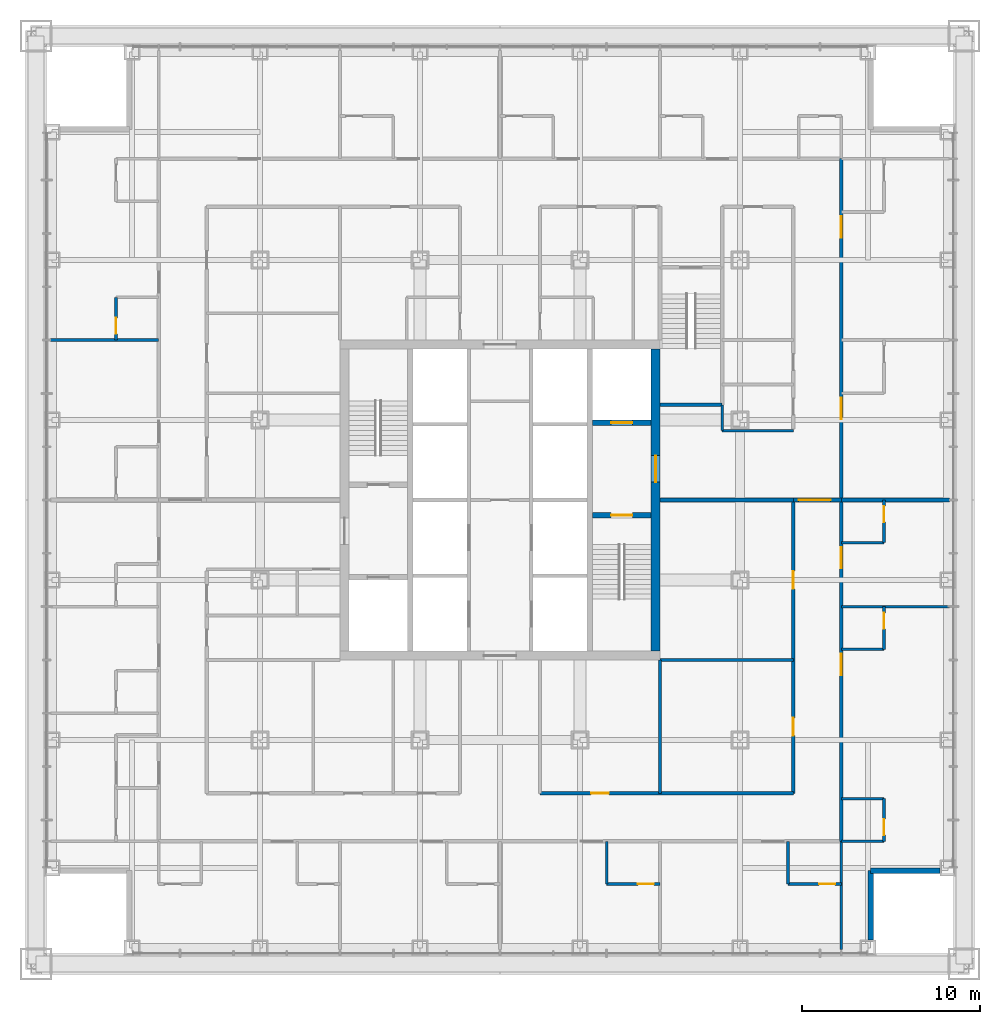
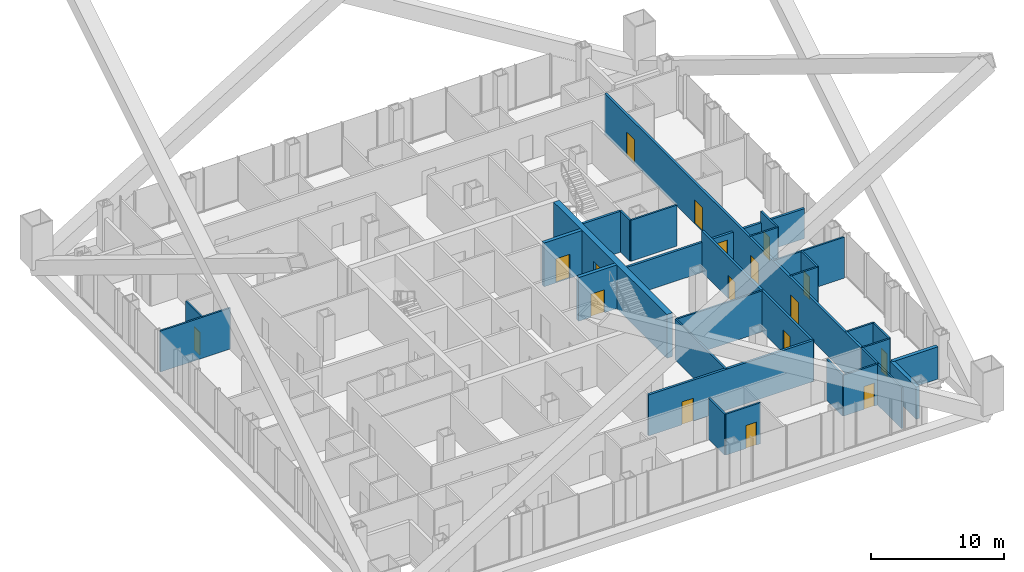
# One storey, part 14 of 21: 31 walls, 17 doors, 17 openings.
"""IFC4 building model written with IfcOpenShell, lengths in metres."""

from ifc_helpers import new_model, si_unit, direction, frame, frame_2d, origin, place, context, subcontext, project, spatial, rectangle, extrude, material, layer, layer_set, type_object, element, fill, save


model = new_model("IFC4")

# Units and contexts
model_context = context("Model", 3, precision=1e-05, world=origin(), true_north=direction((0.0, 1.0)))
body_context = subcontext(model_context, "Body", "Model", "MODEL_VIEW")
ifc_project = project(units=[si_unit("LENGTHUNIT", "METRE"), si_unit("AREAUNIT", "SQUARE_METRE"), si_unit("VOLUMEUNIT", "CUBIC_METRE"), si_unit("PLANEANGLEUNIT", "RADIAN"), si_unit("MASSUNIT", "GRAM", prefix="KILO")], contexts=[model_context])

# Site, building, storey
site_placement = place(None, origin())
site = spatial("IfcSite", under=ifc_project, at=site_placement, CompositionType="ELEMENT")
building_placement = place(site_placement, origin())
building = spatial("IfcBuilding", under=site, at=building_placement, Name="Malebo Sky Hospital", CompositionType="ELEMENT")
storey_placement = place(building_placement, frame((0.0, 0.0, 63.0)))
storey = spatial("IfcBuildingStorey", under=building, at=storey_placement, Name="L14", CompositionType="ELEMENT", Elevation=63.0)

# Wall, opening, door
ifc_material_1 = material(Name="Concrete C80/95", Category="concrete")
ifc_layer_1 = layer(ifc_material_1, 0.300048828125)
ifc_layer_set_1 = layer_set([ifc_layer_1], Name="CORE INNER WALL 300")
wall_type_1 = type_object("IfcWallType", Name="CORE INNER WALL 300", PredefinedType="SHEAR", material=ifc_layer_set_1)
wall_1_placement = place(storey_placement, frame((65.199951171875, 61.14990234375, 0.0), z_axis=(0.0, 0.0, 1.0), x_axis=(1.0, 0.0, 0.0)))
wall_1 = element("IfcWall", 1, at=wall_1_placement, inside=storey, type_object=wall_type_1, Name="Core wall E1 L14", PredefinedType="SHEAR", context=body_context, shape_type="SweptSolid", body=[
    extrude(rectangle(XDim=3.300048828125, YDim=0.300048828125, at=frame_2d((1.64990234375, 0.0))), origin(), (0.0, 0.0, 1.0), 4.0),
])
opening_1_placement = place(wall_1_placement, frame((1.050048828125, 0.0, 0.0)))
opening_1 = element("IfcOpeningElement", 2, at=opening_1_placement, cuts=wall_1, Name="Opening D08", PredefinedType="OPENING", context=body_context, shape_type="SweptSolid", body=[
    extrude(rectangle(XDim=1.199951171875, YDim=2.10009765625, at=frame_2d((0.60009765625, 1.050048828125))), frame((0.0, 0.159912109375, 0.0), z_axis=(0.0, -1.0, 0.0), x_axis=(1.0, 0.0, 0.0)), (0.0, 0.0, 1.0), 0.320068359375),
])
ifc_material_2 = material(Name="Hardwood-faced door leaf in steel frame", Category="steel")
door_type_1 = type_object("IfcDoorType", Name="STAIR DOOR 1200", OperationType="SINGLE_SWING_LEFT", PredefinedType="DOOR", material=ifc_material_2)
door_1_placement = place(opening_1_placement, origin())
door_1 = element("IfcDoor", 3, at=door_1_placement, inside=storey, type_object=door_type_1, Name="Stair S2 door", OperationType="SINGLE_SWING_LEFT", OverallHeight=2.10009765625, OverallWidth=1.199951171875, PredefinedType="DOOR", context=body_context, shape_type="SweptSolid", body=[
    extrude(rectangle(XDim=1.199951171875, YDim=2.10009765625, at=frame_2d((0.60009765625, 1.050048828125))), frame((0.0, 0.02490234375, 0.0), z_axis=(0.0, -1.0, 0.0), x_axis=(1.0, 0.0, 0.0)), (0.0, 0.0, 1.0), 0.050048828125),
])
fill(opening_1, door_1)

wall_2_placement = place(storey_placement, frame((65.199951171875, 66.35009765625, 0.0), z_axis=(0.0, 0.0, 1.0), x_axis=(1.0, 0.0, 0.0)))
wall_2 = element("IfcWall", 4, at=wall_2_placement, inside=storey, type_object=wall_type_1, Name="Core wall E2 L14", PredefinedType="SHEAR", context=body_context, shape_type="SweptSolid", body=[
    extrude(rectangle(XDim=3.300048828125, YDim=0.300048828125, at=frame_2d((1.64990234375, 0.0))), origin(), (0.0, 0.0, 1.0), 4.0),
])
opening_2_placement = place(wall_2_placement, frame((1.050048828125, 0.0, 0.0)))
opening_2 = element("IfcOpeningElement", 5, at=opening_2_placement, cuts=wall_2, Name="Opening LD2", PredefinedType="OPENING", context=body_context, shape_type="SweptSolid", body=[
    extrude(rectangle(XDim=1.199951171875, YDim=2.199951171875, at=frame_2d((0.60009765625, 1.10009765625))), frame((0.0, 0.159912109375, 0.0), z_axis=(0.0, -1.0, 0.0), x_axis=(1.0, 0.0, 0.0)), (0.0, 0.0, 1.0), 0.320068359375),
])
ifc_material_3 = material(Name="Stainless steel sliding landing door", Category="steel")
door_type_2 = type_object("IfcDoorType", Name="FIRE-FIGHTING LIFT LANDING DOOR 1200", OperationType="SLIDING_TO_LEFT", PredefinedType="DOOR", material=ifc_material_3)
door_2_placement = place(opening_2_placement, origin())
door_2 = element("IfcDoor", 6, at=door_2_placement, inside=storey, type_object=door_type_2, Name="Lift FL2 landing door", OperationType="SLIDING_TO_LEFT", OverallHeight=2.199951171875, OverallWidth=1.199951171875, PredefinedType="DOOR", context=body_context, shape_type="SweptSolid", body=[
    extrude(rectangle(XDim=1.199951171875, YDim=2.199951171875, at=frame_2d((0.60009765625, 1.10009765625))), frame((0.0, 0.02490234375, 0.0), z_axis=(0.0, -1.0, 0.0), x_axis=(1.0, 0.0, 0.0)), (0.0, 0.0, 1.0), 0.050048828125),
])
fill(opening_2, door_2)

ifc_layer_2 = layer(ifc_material_1, 0.5)
ifc_layer_set_2 = layer_set([ifc_layer_2], Name="CORE WALL 500")
wall_type_2 = type_object("IfcWallType", Name="CORE WALL 500", PredefinedType="SHEAR", material=ifc_layer_set_2)
wall_3_placement = place(storey_placement, frame((68.75, 53.5, 0.0), z_axis=(0.0, 0.0, 1.0), x_axis=(0.0, 1.0, 0.0)))
wall_3 = element("IfcWall", 7, at=wall_3_placement, inside=storey, type_object=wall_type_2, Name="Core wall E L14", PredefinedType="SHEAR", context=body_context, shape_type="SweptSolid", body=[
    extrude(rectangle(XDim=17.0, YDim=0.5, at=frame_2d((8.5, 0.0))), origin(), (0.0, 0.0, 1.0), 4.0),
])
opening_3_placement = place(wall_3_placement, frame((9.5, 0.0, 0.0)))
opening_3 = element("IfcOpeningElement", 8, at=opening_3_placement, cuts=wall_3, Name="Opening D07", PredefinedType="OPENING", context=body_context, shape_type="SweptSolid", body=[
    extrude(rectangle(XDim=1.5, YDim=2.199951171875, at=frame_2d((0.75, 1.10009765625))), frame((0.0, 0.260009765625, 0.0), z_axis=(0.0, -1.0, 0.0), x_axis=(1.0, 0.0, 0.0)), (0.0, 0.0, 1.0), 0.52001953125),
])
door_type_3 = type_object("IfcDoorType", Name="FIRE-FIGHTING LOBBY DOOR PAIR 1500", OperationType="DOUBLE_DOOR_SINGLE_SWING", PredefinedType="DOOR", material=ifc_material_2)
door_3_placement = place(opening_3_placement, origin())
door_3 = element("IfcDoor", 9, at=door_3_placement, inside=storey, type_object=door_type_3, Name="Fire-fighting lobby door east", OperationType="DOUBLE_DOOR_SINGLE_SWING", OverallHeight=2.199951171875, OverallWidth=1.5, PredefinedType="DOOR", context=body_context, shape_type="SweptSolid", body=[
    extrude(rectangle(XDim=1.5, YDim=2.199951171875, at=frame_2d((0.75, 1.10009765625))), frame((0.0, 0.02490234375, 0.0), z_axis=(0.0, -1.0, 0.0), x_axis=(1.0, 0.0, 0.0)), (0.0, 0.0, 1.0), 0.050048828125),
])
fill(opening_3, door_3)

ifc_material_4 = material(Name="Gypsum board on steel studs", Category="steel")
ifc_layer_3 = layer(ifc_material_4, 0.199951171875)
ifc_layer_set_3 = layer_set([ifc_layer_3], Name="CORRIDOR WALL 200")
wall_type_3 = type_object("IfcWallType", Name="CORRIDOR WALL 200", PredefinedType="PARTITIONING", material=ifc_layer_set_3)
wall_4_placement = place(storey_placement, frame((76.5, 45.5, 0.0), z_axis=(0.0, 0.0, 1.0), x_axis=(-1.0, 0.0, 0.0)))
wall_4 = element("IfcWall", 10, at=wall_4_placement, inside=storey, type_object=wall_type_3, Name="Corridor Wall 200 SCI1", PredefinedType="PARTITIONING", context=body_context, shape_type="SweptSolid", body=[
    extrude(rectangle(XDim=14.25, YDim=0.199951171875, at=frame_2d((7.125, 0.0))), origin(), (0.0, 0.0, 1.0), 3.75),
])
opening_4_placement = place(wall_4_placement, frame((10.375, 0.0, 0.0)))
opening_4 = element("IfcOpeningElement", 11, at=opening_4_placement, cuts=wall_4, Name="Opening D03", PredefinedType="OPENING", context=body_context, shape_type="SweptSolid", body=[
    extrude(rectangle(XDim=1.0, YDim=2.10009765625, at=frame_2d((0.5, 1.050048828125))), frame((0.0, 0.10986328125, 0.0), z_axis=(0.0, -1.0, 0.0), x_axis=(1.0, 0.0, 0.0)), (0.0, 0.0, 1.0), 0.219970703125),
])
door_type_4 = type_object("IfcDoorType", Name="ROOM DOOR 1000", OperationType="SINGLE_SWING_LEFT", PredefinedType="DOOR", material=ifc_material_2)
door_4_placement = place(opening_4_placement, origin())
door_4 = element("IfcDoor", 12, at=door_4_placement, inside=storey, type_object=door_type_4, Name="Treatment room door", OperationType="SINGLE_SWING_LEFT", OverallHeight=2.10009765625, OverallWidth=1.0, PredefinedType="DOOR", context=body_context, shape_type="SweptSolid", body=[
    extrude(rectangle(XDim=1.0, YDim=2.10009765625, at=frame_2d((0.5, 1.050048828125))), frame((0.0, 0.02490234375, 0.0), z_axis=(0.0, -1.0, 0.0), x_axis=(1.0, 0.0, 0.0)), (0.0, 0.0, 1.0), 0.050048828125),
])
fill(opening_4, door_4)

# Wall, openings, doors
wall_5_placement = place(storey_placement, frame((79.199951171875, 81.199951171875, 0.0), z_axis=(0.0, 0.0, 1.0), x_axis=(0.0, -1.0, 0.0)))
wall_5 = element("IfcWall", 13, at=wall_5_placement, inside=storey, type_object=wall_type_3, Name="Corridor Wall 200 ECO", PredefinedType="PARTITIONING", context=body_context, shape_type="SweptSolid", body=[
    extrude(rectangle(XDim=38.39990234375, YDim=0.199951171875, at=frame_2d((19.199951171875, 0.0))), origin(), (0.0, 0.0, 1.0), 3.75),
])
opening_5_placement = place(wall_5_placement, frame((3.25, 0.0, 0.0)))
opening_5 = element("IfcOpeningElement", 14, at=opening_5_placement, cuts=wall_5, Name="Opening D01", PredefinedType="OPENING", context=body_context, shape_type="SweptSolid", body=[
    extrude(rectangle(XDim=1.199951171875, YDim=2.199951171875, at=frame_2d((0.60009765625, 1.10009765625))), frame((0.0, 0.10986328125, 0.0), z_axis=(0.0, -1.0, 0.0), x_axis=(1.0, 0.0, 0.0)), (0.0, 0.0, 1.0), 0.219970703125),
])
opening_6_placement = place(wall_5_placement, frame((13.449951171875, 0.0, 0.0)))
opening_6 = element("IfcOpeningElement", 15, at=opening_6_placement, cuts=wall_5, Name="Opening D01", PredefinedType="OPENING", context=body_context, shape_type="SweptSolid", body=[
    extrude(rectangle(XDim=1.199951171875, YDim=2.199951171875, at=frame_2d((0.60009765625, 1.10009765625))), frame((0.0, 0.10986328125, 0.0), z_axis=(0.0, -1.0, 0.0), x_axis=(1.0, 0.0, 0.0)), (0.0, 0.0, 1.0), 0.219970703125),
])
opening_7_placement = place(wall_5_placement, frame((21.85009765625, 0.0, 0.0)))
opening_7 = element("IfcOpeningElement", 16, at=opening_7_placement, cuts=wall_5, Name="Opening D01", PredefinedType="OPENING", context=body_context, shape_type="SweptSolid", body=[
    extrude(rectangle(XDim=1.199951171875, YDim=2.199951171875, at=frame_2d((0.60009765625, 1.10009765625))), frame((0.0, 0.10986328125, 0.0), z_axis=(0.0, -1.0, 0.0), x_axis=(1.0, 0.0, 0.0)), (0.0, 0.0, 1.0), 0.219970703125),
])
opening_8_placement = place(wall_5_placement, frame((27.85009765625, 0.0, 0.0)))
opening_8 = element("IfcOpeningElement", 17, at=opening_8_placement, cuts=wall_5, Name="Opening D01", PredefinedType="OPENING", context=body_context, shape_type="SweptSolid", body=[
    extrude(rectangle(XDim=1.199951171875, YDim=2.199951171875, at=frame_2d((0.60009765625, 1.10009765625))), frame((0.0, 0.10986328125, 0.0), z_axis=(0.0, -1.0, 0.0), x_axis=(1.0, 0.0, 0.0)), (0.0, 0.0, 1.0), 0.219970703125),
])
door_type_5 = type_object("IfcDoorType", Name="BED DOOR 1200", OperationType="SINGLE_SWING_LEFT", PredefinedType="DOOR", material=ifc_material_2)
door_5_placement = place(opening_5_placement, origin())
door_5 = element("IfcDoor", 18, at=door_5_placement, inside=storey, type_object=door_type_5, Name="Two-bed room door", OperationType="SINGLE_SWING_LEFT", OverallHeight=2.199951171875, OverallWidth=1.199951171875, PredefinedType="DOOR", context=body_context, shape_type="SweptSolid", body=[
    extrude(rectangle(XDim=1.199951171875, YDim=2.199951171875, at=frame_2d((0.60009765625, 1.10009765625))), frame((0.0, 0.02490234375, 0.0), z_axis=(0.0, -1.0, 0.0), x_axis=(1.0, 0.0, 0.0)), (0.0, 0.0, 1.0), 0.050048828125),
])
fill(opening_5, door_5)
door_6_placement = place(opening_6_placement, origin())
door_6 = element("IfcDoor", 19, at=door_6_placement, inside=storey, type_object=door_type_5, Name="Two-bed room door", OperationType="SINGLE_SWING_LEFT", OverallHeight=2.199951171875, OverallWidth=1.199951171875, PredefinedType="DOOR", context=body_context, shape_type="SweptSolid", body=[
    extrude(rectangle(XDim=1.199951171875, YDim=2.199951171875, at=frame_2d((0.60009765625, 1.10009765625))), frame((0.0, 0.02490234375, 0.0), z_axis=(0.0, -1.0, 0.0), x_axis=(1.0, 0.0, 0.0)), (0.0, 0.0, 1.0), 0.050048828125),
])
fill(opening_6, door_6)
door_7_placement = place(opening_7_placement, origin())
door_7 = element("IfcDoor", 20, at=door_7_placement, inside=storey, type_object=door_type_5, Name="Single bed room door", OperationType="SINGLE_SWING_LEFT", OverallHeight=2.199951171875, OverallWidth=1.199951171875, PredefinedType="DOOR", context=body_context, shape_type="SweptSolid", body=[
    extrude(rectangle(XDim=1.199951171875, YDim=2.199951171875, at=frame_2d((0.60009765625, 1.10009765625))), frame((0.0, 0.02490234375, 0.0), z_axis=(0.0, -1.0, 0.0), x_axis=(1.0, 0.0, 0.0)), (0.0, 0.0, 1.0), 0.050048828125),
])
fill(opening_7, door_7)
door_8_placement = place(opening_8_placement, origin())
door_8 = element("IfcDoor", 21, at=door_8_placement, inside=storey, type_object=door_type_5, Name="Four-bed bay door", OperationType="SINGLE_SWING_LEFT", OverallHeight=2.199951171875, OverallWidth=1.199951171875, PredefinedType="DOOR", context=body_context, shape_type="SweptSolid", body=[
    extrude(rectangle(XDim=1.199951171875, YDim=2.199951171875, at=frame_2d((0.60009765625, 1.10009765625))), frame((0.0, 0.02490234375, 0.0), z_axis=(0.0, -1.0, 0.0), x_axis=(1.0, 0.0, 0.0)), (0.0, 0.0, 1.0), 0.050048828125),
])
fill(opening_8, door_8)

wall_6_placement = place(storey_placement, frame((76.5, 62.0, 0.0), z_axis=(0.0, 0.0, 1.0), x_axis=(0.0, -1.0, 0.0)))
wall_6 = element("IfcWall", 22, at=wall_6_placement, inside=storey, type_object=wall_type_3, Name="Corridor Wall 200 ECI2", PredefinedType="PARTITIONING", context=body_context, shape_type="SweptSolid", body=[
    extrude(rectangle(XDim=16.5, YDim=0.199951171875, at=frame_2d((8.25, 0.0))), origin(), (0.0, 0.0, 1.0), 3.75),
])
opening_9_placement = place(wall_6_placement, frame((4.0, 0.0, 0.0)))
opening_9 = element("IfcOpeningElement", 23, at=opening_9_placement, cuts=wall_6, Name="Opening D03", PredefinedType="OPENING", context=body_context, shape_type="SweptSolid", body=[
    extrude(rectangle(XDim=1.0, YDim=2.10009765625, at=frame_2d((0.5, 1.050048828125))), frame((0.0, 0.10986328125, 0.0), z_axis=(0.0, -1.0, 0.0), x_axis=(1.0, 0.0, 0.0)), (0.0, 0.0, 1.0), 0.219970703125),
])
opening_10_placement = place(wall_6_placement, frame((12.25, 0.0, 0.0)))
opening_10 = element("IfcOpeningElement", 24, at=opening_10_placement, cuts=wall_6, Name="Opening D03", PredefinedType="OPENING", context=body_context, shape_type="SweptSolid", body=[
    extrude(rectangle(XDim=1.0, YDim=2.10009765625, at=frame_2d((0.5, 1.050048828125))), frame((0.0, 0.10986328125, 0.0), z_axis=(0.0, -1.0, 0.0), x_axis=(1.0, 0.0, 0.0)), (0.0, 0.0, 1.0), 0.219970703125),
])
door_9_placement = place(opening_9_placement, origin())
door_9 = element("IfcDoor", 25, at=door_9_placement, inside=storey, type_object=door_type_4, Name="Nurse station door", OperationType="SINGLE_SWING_LEFT", OverallHeight=2.10009765625, OverallWidth=1.0, PredefinedType="DOOR", context=body_context, shape_type="SweptSolid", body=[
    extrude(rectangle(XDim=1.0, YDim=2.10009765625, at=frame_2d((0.5, 1.050048828125))), frame((0.0, 0.02490234375, 0.0), z_axis=(0.0, -1.0, 0.0), x_axis=(1.0, 0.0, 0.0)), (0.0, 0.0, 1.0), 0.050048828125),
])
fill(opening_9, door_9)
door_10_placement = place(opening_10_placement, origin())
door_10 = element("IfcDoor", 26, at=door_10_placement, inside=storey, type_object=door_type_4, Name="Staff rest room door", OperationType="SINGLE_SWING_RIGHT", OverallHeight=2.10009765625, OverallWidth=1.0, PredefinedType="DOOR", context=body_context, shape_type="SweptSolid", body=[
    extrude(rectangle(XDim=1.0, YDim=2.10009765625, at=frame_2d((0.5, 1.050048828125))), frame((0.0, 0.02490234375, 0.0), z_axis=(0.0, -1.0, 0.0), x_axis=(1.0, 0.0, 0.0)), (0.0, 0.0, 1.0), 0.050048828125),
])
fill(opening_10, door_10)

# Walls
ifc_material_5 = material(Name="Anodised aluminium rainscreen on steel framing", Category="steel")
ifc_layer_4 = layer(ifc_material_5, 0.300048828125)
ifc_layer_set_4 = layer_set([ifc_layer_4], Name="NOTCH RAINSCREEN WALL 300")
wall_type_4 = type_object("IfcWallType", Name="NOTCH RAINSCREEN WALL 300", PredefinedType="ELEMENTEDWALL", material=ifc_layer_set_4)
for number, where, z_axis, x_axis, name in (
    (27, (84.75, 41.14990234375, 0.0), (0.0, 0.0, 1.0), (-1.0, 0.0, 0.0), "Notch rainscreen wall E1 L14"),
    (28, (80.85009765625, 41.14990234375, 0.0), (0.0, 0.0, 1.0), (0.0, -1.0, 0.0), "Notch rainscreen wall E2 L14"),
):
    element("IfcWall", number, at=place(storey_placement, frame(where, z_axis=z_axis, x_axis=x_axis)), inside=storey, type_object=wall_type_4, Name=name, PredefinedType="ELEMENTEDWALL", context=body_context, shape_type="SweptSolid", body=[
        extrude(rectangle(XDim=3.89990234375, YDim=0.300048828125, at=frame_2d((1.949951171875, 0.0))), origin(), (0.0, 0.0, 1.0), 2.949951171875),
    ])
ifc_layer_5 = layer(ifc_material_4, 0.14990234375)
ifc_layer_set_5 = layer_set([ifc_layer_5], Name="PARTITION 150")
wall_type_5 = type_object("IfcWallType", Name="PARTITION 150", PredefinedType="PARTITIONING", material=ifc_layer_set_5)
wall_7_placement = place(storey_placement, frame((40.800048828125, 71.0, 0.0), z_axis=(0.0, 0.0, 1.0), x_axis=(-1.0, 0.0, 0.0)))
element("IfcWall", 29, at=wall_7_placement, inside=storey, type_object=wall_type_5, Name="Partition 150 WP+9.0", PredefinedType="PARTITIONING", context=body_context, shape_type="SweptSolid", body=[
    extrude(rectangle(XDim=6.074951171875, YDim=0.14990234375, at=frame_2d((3.03759765625, 0.0))), origin(), (0.0, 0.0, 1.0), 3.75),
])

# Wall, opening, door
wall_8_placement = place(storey_placement, frame((38.39990234375, 71.0, 0.0), z_axis=(0.0, 0.0, 1.0), x_axis=(0.0, 1.0, 0.0)))
wall_8 = element("IfcWall", 30, at=wall_8_placement, inside=storey, type_object=wall_type_5, Name="Partition 150 WE4F", PredefinedType="PARTITIONING", context=body_context, shape_type="SweptSolid", body=[
    extrude(rectangle(XDim=2.39990234375, YDim=0.14990234375, at=frame_2d((1.199951171875, 0.0))), origin(), (0.0, 0.0, 1.0), 3.75),
])
opening_11_placement = place(wall_8_placement, frame((0.35009765625, 0.0, 0.0)))
opening_11 = element("IfcOpeningElement", 31, at=opening_11_placement, cuts=wall_8, Name="Opening D02", PredefinedType="OPENING", context=body_context, shape_type="SweptSolid", body=[
    extrude(rectangle(XDim=0.89990234375, YDim=2.10009765625, at=frame_2d((0.449951171875, 1.050048828125))), frame((0.0, 0.0849609375, 0.0), z_axis=(0.0, -1.0, 0.0), x_axis=(1.0, 0.0, 0.0)), (0.0, 0.0, 1.0), 0.169921875),
])
door_type_6 = type_object("IfcDoorType", Name="EN-SUITE DOOR 900", OperationType="SINGLE_SWING_LEFT", PredefinedType="DOOR", material=ifc_material_2)
door_11_placement = place(opening_11_placement, origin())
door_11 = element("IfcDoor", 32, at=door_11_placement, inside=storey, type_object=door_type_6, Name="En-suite door", OperationType="SINGLE_SWING_LEFT", OverallHeight=2.10009765625, OverallWidth=0.89990234375, PredefinedType="DOOR", context=body_context, shape_type="SweptSolid", body=[
    extrude(rectangle(XDim=0.89990234375, YDim=2.10009765625, at=frame_2d((0.449951171875, 1.050048828125))), frame((0.0, 0.02490234375, 0.0), z_axis=(0.0, -1.0, 0.0), x_axis=(1.0, 0.0, 0.0)), (0.0, 0.0, 1.0), 0.050048828125),
])
fill(opening_11, door_11)

# Wall
wall_9_placement = place(storey_placement, frame((79.199951171875, 42.800048828125, 0.0), z_axis=(0.0, 0.0, 1.0), x_axis=(0.0, -1.0, 0.0)))
element("IfcWall", 33, at=wall_9_placement, inside=storey, type_object=wall_type_5, Name="Partition 150 SP0", PredefinedType="PARTITIONING", context=body_context, shape_type="SweptSolid", body=[
    extrude(rectangle(XDim=6.074951171875, YDim=0.14990234375, at=frame_2d((3.03759765625, 0.0))), origin(), (0.0, 0.0, 1.0), 3.75),
])

# Wall, opening, door
wall_10_placement = place(storey_placement, frame((79.199951171875, 40.39990234375, 0.0), z_axis=(0.0, 0.0, 1.0), x_axis=(-1.0, 0.0, 0.0)))
wall_10 = element("IfcWall", 34, at=wall_10_placement, inside=storey, type_object=wall_type_5, Name="Partition 150 SE0F", PredefinedType="PARTITIONING", context=body_context, shape_type="SweptSolid", body=[
    extrude(rectangle(XDim=3.0, YDim=0.14990234375, at=frame_2d((1.5, 0.0))), origin(), (0.0, 0.0, 1.0), 3.75),
])
opening_12_placement = place(wall_10_placement, frame((0.35009765625, 0.0, 0.0)))
opening_12 = element("IfcOpeningElement", 35, at=opening_12_placement, cuts=wall_10, Name="Opening D02", PredefinedType="OPENING", context=body_context, shape_type="SweptSolid", body=[
    extrude(rectangle(XDim=0.89990234375, YDim=2.10009765625, at=frame_2d((0.449951171875, 1.050048828125))), frame((0.0, 0.0849609375, 0.0), z_axis=(0.0, -1.0, 0.0), x_axis=(1.0, 0.0, 0.0)), (0.0, 0.0, 1.0), 0.169921875),
])
door_12_placement = place(opening_12_placement, origin())
door_12 = element("IfcDoor", 36, at=door_12_placement, inside=storey, type_object=door_type_6, Name="En-suite door", OperationType="SINGLE_SWING_LEFT", OverallHeight=2.10009765625, OverallWidth=0.89990234375, PredefinedType="DOOR", context=body_context, shape_type="SweptSolid", body=[
    extrude(rectangle(XDim=0.89990234375, YDim=2.10009765625, at=frame_2d((0.449951171875, 1.050048828125))), frame((0.0, 0.02490234375, 0.0), z_axis=(0.0, -1.0, 0.0), x_axis=(1.0, 0.0, 0.0)), (0.0, 0.0, 1.0), 0.050048828125),
])
fill(opening_12, door_12)

# Wall
wall_11_placement = place(storey_placement, frame((76.199951171875, 42.800048828125, 0.0), z_axis=(0.0, 0.0, 1.0), x_axis=(0.0, -1.0, 0.0)))
element("IfcWall", 37, at=wall_11_placement, inside=storey, type_object=wall_type_5, Name="Partition 150 SE0S", PredefinedType="PARTITIONING", context=body_context, shape_type="SweptSolid", body=[
    extrude(rectangle(XDim=2.400146484375, YDim=0.14990234375, at=frame_2d((1.2001953125, 0.0))), origin(), (0.0, 0.0, 1.0), 3.75),
])

# Wall, opening, door
wall_12_placement = place(storey_placement, frame((69.0, 40.39990234375, 0.0), z_axis=(0.0, 0.0, 1.0), x_axis=(-1.0, 0.0, 0.0)))
wall_12 = element("IfcWall", 38, at=wall_12_placement, inside=storey, type_object=wall_type_5, Name="Partition 150 SE1F", PredefinedType="PARTITIONING", context=body_context, shape_type="SweptSolid", body=[
    extrude(rectangle(XDim=3.0, YDim=0.14990234375, at=frame_2d((1.5, 0.0))), origin(), (0.0, 0.0, 1.0), 3.75),
])
opening_13_placement = place(wall_12_placement, frame((0.35009765625, 0.0, 0.0)))
opening_13 = element("IfcOpeningElement", 39, at=opening_13_placement, cuts=wall_12, Name="Opening D02", PredefinedType="OPENING", context=body_context, shape_type="SweptSolid", body=[
    extrude(rectangle(XDim=0.89990234375, YDim=2.10009765625, at=frame_2d((0.449951171875, 1.050048828125))), frame((0.0, 0.0849609375, 0.0), z_axis=(0.0, -1.0, 0.0), x_axis=(1.0, 0.0, 0.0)), (0.0, 0.0, 1.0), 0.169921875),
])
door_13_placement = place(opening_13_placement, origin())
door_13 = element("IfcDoor", 40, at=door_13_placement, inside=storey, type_object=door_type_6, Name="En-suite door", OperationType="SINGLE_SWING_LEFT", OverallHeight=2.10009765625, OverallWidth=0.89990234375, PredefinedType="DOOR", context=body_context, shape_type="SweptSolid", body=[
    extrude(rectangle(XDim=0.89990234375, YDim=2.10009765625, at=frame_2d((0.449951171875, 1.050048828125))), frame((0.0, 0.02490234375, 0.0), z_axis=(0.0, -1.0, 0.0), x_axis=(1.0, 0.0, 0.0)), (0.0, 0.0, 1.0), 0.050048828125),
])
fill(opening_13, door_13)

# Walls
wall_13_placement = place(storey_placement, frame((66.0, 42.800048828125, 0.0), z_axis=(0.0, 0.0, 1.0), x_axis=(0.0, -1.0, 0.0)))
element("IfcWall", 41, at=wall_13_placement, inside=storey, type_object=wall_type_5, Name="Partition 150 SE1S", PredefinedType="PARTITIONING", context=body_context, shape_type="SweptSolid", body=[
    extrude(rectangle(XDim=2.400146484375, YDim=0.14990234375, at=frame_2d((1.2001953125, 0.0))), origin(), (0.0, 0.0, 1.0), 3.75),
])
wall_14_placement = place(storey_placement, frame((69.0, 53.0, 0.0), z_axis=(0.0, 0.0, 1.0), x_axis=(0.0, -1.0, 0.0)))
element("IfcWall", 42, at=wall_14_placement, inside=storey, type_object=wall_type_5, Name="Partition 150 SSP0", PredefinedType="PARTITIONING", context=body_context, shape_type="SweptSolid", body=[
    extrude(rectangle(XDim=7.5, YDim=0.14990234375, at=frame_2d((3.75, 0.0))), origin(), (0.0, 0.0, 1.0), 3.75),
])
wall_15_placement = place(storey_placement, frame((79.199951171875, 56.0, 0.0), z_axis=(0.0, 0.0, 1.0), x_axis=(1.0, 0.0, 0.0)))
element("IfcWall", 43, at=wall_15_placement, inside=storey, type_object=wall_type_5, Name="Partition 150 EP+6.0", PredefinedType="PARTITIONING", context=body_context, shape_type="SweptSolid", body=[
    extrude(rectangle(XDim=6.074951171875, YDim=0.14990234375, at=frame_2d((3.03759765625, 0.0))), origin(), (0.0, 0.0, 1.0), 3.75),
])

# Wall, opening, door
wall_16_placement = place(storey_placement, frame((81.60009765625, 62.0, 0.0), z_axis=(0.0, 0.0, 1.0), x_axis=(0.0, -1.0, 0.0)))
wall_16 = element("IfcWall", 44, at=wall_16_placement, inside=storey, type_object=wall_type_5, Name="Partition 150 EE2F", PredefinedType="PARTITIONING", context=body_context, shape_type="SweptSolid", body=[
    extrude(rectangle(XDim=2.39990234375, YDim=0.14990234375, at=frame_2d((1.199951171875, 0.0))), origin(), (0.0, 0.0, 1.0), 3.75),
])
opening_14_placement = place(wall_16_placement, frame((0.35009765625, 0.0, 0.0)))
opening_14 = element("IfcOpeningElement", 45, at=opening_14_placement, cuts=wall_16, Name="Opening D02", PredefinedType="OPENING", context=body_context, shape_type="SweptSolid", body=[
    extrude(rectangle(XDim=0.89990234375, YDim=2.10009765625, at=frame_2d((0.449951171875, 1.050048828125))), frame((0.0, 0.0849609375, 0.0), z_axis=(0.0, -1.0, 0.0), x_axis=(1.0, 0.0, 0.0)), (0.0, 0.0, 1.0), 0.169921875),
])
door_14_placement = place(opening_14_placement, origin())
door_14 = element("IfcDoor", 46, at=door_14_placement, inside=storey, type_object=door_type_6, Name="En-suite door", OperationType="SINGLE_SWING_LEFT", OverallHeight=2.10009765625, OverallWidth=0.89990234375, PredefinedType="DOOR", context=body_context, shape_type="SweptSolid", body=[
    extrude(rectangle(XDim=0.89990234375, YDim=2.10009765625, at=frame_2d((0.449951171875, 1.050048828125))), frame((0.0, 0.02490234375, 0.0), z_axis=(0.0, -1.0, 0.0), x_axis=(1.0, 0.0, 0.0)), (0.0, 0.0, 1.0), 0.050048828125),
])
fill(opening_14, door_14)

# Wall
wall_17_placement = place(storey_placement, frame((79.199951171875, 59.60009765625, 0.0), z_axis=(0.0, 0.0, 1.0), x_axis=(1.0, 0.0, 0.0)))
element("IfcWall", 47, at=wall_17_placement, inside=storey, type_object=wall_type_5, Name="Partition 150 EE2S", PredefinedType="PARTITIONING", context=body_context, shape_type="SweptSolid", body=[
    extrude(rectangle(XDim=2.400146484375, YDim=0.14990234375, at=frame_2d((1.2001953125, 0.0))), origin(), (0.0, 0.0, 1.0), 3.75),
])

# Wall, opening, door
wall_18_placement = place(storey_placement, frame((81.60009765625, 56.0, 0.0), z_axis=(0.0, 0.0, 1.0), x_axis=(0.0, -1.0, 0.0)))
wall_18 = element("IfcWall", 48, at=wall_18_placement, inside=storey, type_object=wall_type_5, Name="Partition 150 EE3F", PredefinedType="PARTITIONING", context=body_context, shape_type="SweptSolid", body=[
    extrude(rectangle(XDim=2.39990234375, YDim=0.14990234375, at=frame_2d((1.199951171875, 0.0))), origin(), (0.0, 0.0, 1.0), 3.75),
])
opening_15_placement = place(wall_18_placement, frame((0.35009765625, 0.0, 0.0)))
opening_15 = element("IfcOpeningElement", 49, at=opening_15_placement, cuts=wall_18, Name="Opening D02", PredefinedType="OPENING", context=body_context, shape_type="SweptSolid", body=[
    extrude(rectangle(XDim=0.89990234375, YDim=2.10009765625, at=frame_2d((0.449951171875, 1.050048828125))), frame((0.0, 0.0849609375, 0.0), z_axis=(0.0, -1.0, 0.0), x_axis=(1.0, 0.0, 0.0)), (0.0, 0.0, 1.0), 0.169921875),
])
door_15_placement = place(opening_15_placement, origin())
door_15 = element("IfcDoor", 50, at=door_15_placement, inside=storey, type_object=door_type_6, Name="En-suite door", OperationType="SINGLE_SWING_LEFT", OverallHeight=2.10009765625, OverallWidth=0.89990234375, PredefinedType="DOOR", context=body_context, shape_type="SweptSolid", body=[
    extrude(rectangle(XDim=0.89990234375, YDim=2.10009765625, at=frame_2d((0.449951171875, 1.050048828125))), frame((0.0, 0.02490234375, 0.0), z_axis=(0.0, -1.0, 0.0), x_axis=(1.0, 0.0, 0.0)), (0.0, 0.0, 1.0), 0.050048828125),
])
fill(opening_15, door_15)

# Wall
wall_19_placement = place(storey_placement, frame((79.199951171875, 53.60009765625, 0.0), z_axis=(0.0, 0.0, 1.0), x_axis=(1.0, 0.0, 0.0)))
element("IfcWall", 51, at=wall_19_placement, inside=storey, type_object=wall_type_5, Name="Partition 150 EE3S", PredefinedType="PARTITIONING", context=body_context, shape_type="SweptSolid", body=[
    extrude(rectangle(XDim=2.400146484375, YDim=0.14990234375, at=frame_2d((1.2001953125, 0.0))), origin(), (0.0, 0.0, 1.0), 3.75),
])

# Wall, opening, door
wall_20_placement = place(storey_placement, frame((81.60009765625, 45.199951171875, 0.0), z_axis=(0.0, 0.0, 1.0), x_axis=(0.0, -1.0, 0.0)))
wall_20 = element("IfcWall", 52, at=wall_20_placement, inside=storey, type_object=wall_type_5, Name="Partition 150 EG3F", PredefinedType="PARTITIONING", context=body_context, shape_type="SweptSolid", body=[
    extrude(rectangle(XDim=2.39990234375, YDim=0.14990234375, at=frame_2d((1.199951171875, 0.0))), origin(), (0.0, 0.0, 1.0), 3.75),
])
opening_16_placement = place(wall_20_placement, frame((1.14990234375, 0.0, 0.0)))
opening_16 = element("IfcOpeningElement", 53, at=opening_16_placement, cuts=wall_20, Name="Opening D02", PredefinedType="OPENING", context=body_context, shape_type="SweptSolid", body=[
    extrude(rectangle(XDim=0.89990234375, YDim=2.10009765625, at=frame_2d((0.449951171875, 1.050048828125))), frame((0.0, 0.0849609375, 0.0), z_axis=(0.0, -1.0, 0.0), x_axis=(1.0, 0.0, 0.0)), (0.0, 0.0, 1.0), 0.169921875),
])
door_16_placement = place(opening_16_placement, origin())
door_16 = element("IfcDoor", 54, at=door_16_placement, inside=storey, type_object=door_type_6, Name="En-suite door", OperationType="SINGLE_SWING_RIGHT", OverallHeight=2.10009765625, OverallWidth=0.89990234375, PredefinedType="DOOR", context=body_context, shape_type="SweptSolid", body=[
    extrude(rectangle(XDim=0.89990234375, YDim=2.10009765625, at=frame_2d((0.449951171875, 1.050048828125))), frame((0.0, 0.02490234375, 0.0), z_axis=(0.0, -1.0, 0.0), x_axis=(1.0, 0.0, 0.0)), (0.0, 0.0, 1.0), 0.050048828125),
])
fill(opening_16, door_16)

# Walls
for number, where, z_axis, x_axis, name in (
    (55, (79.199951171875, 45.199951171875, 0.0), (0.0, 0.0, 1.0), (1.0, 0.0, 0.0), "Partition 150 EG3S"),
    (56, (79.199951171875, 42.800048828125, 0.0), (0.0, 0.0, 1.0), (1.0, 0.0, 0.0), "Partition 150 EEZ"),
):
    element("IfcWall", number, at=place(storey_placement, frame(where, z_axis=z_axis, x_axis=x_axis)), inside=storey, type_object=wall_type_5, Name=name, PredefinedType="PARTITIONING", context=body_context, shape_type="SweptSolid", body=[
        extrude(rectangle(XDim=2.400146484375, YDim=0.14990234375, at=frame_2d((1.2001953125, 0.0))), origin(), (0.0, 0.0, 1.0), 3.75),
    ])
wall_21_placement = place(storey_placement, frame((72.5, 65.89990234375, 0.0), z_axis=(0.0, 0.0, 1.0), x_axis=(1.0, 0.0, 0.0)))
element("IfcWall", 57, at=wall_21_placement, inside=storey, type_object=wall_type_5, Name="Partition 150 ESPA", PredefinedType="PARTITIONING", context=body_context, shape_type="SweptSolid", body=[
    extrude(rectangle(XDim=4.0, YDim=0.14990234375, at=frame_2d((2.0, 0.0))), origin(), (0.0, 0.0, 1.0), 3.75),
])
wall_22_placement = place(storey_placement, frame((69.0, 53.0, 0.0), z_axis=(0.0, 0.0, 1.0), x_axis=(1.0, 0.0, 0.0)))
element("IfcWall", 58, at=wall_22_placement, inside=storey, type_object=wall_type_5, Name="Partition 150 ESP+9.0", PredefinedType="PARTITIONING", context=body_context, shape_type="SweptSolid", body=[
    extrude(rectangle(XDim=7.5, YDim=0.14990234375, at=frame_2d((3.75, 0.0))), origin(), (0.0, 0.0, 1.0), 3.75),
])
wall_23_placement = place(storey_placement, frame((72.5, 65.89990234375, 0.0), z_axis=(0.0, 0.0, 1.0), x_axis=(0.0, 1.0, 0.0)))
element("IfcWall", 59, at=wall_23_placement, inside=storey, type_object=wall_type_5, Name="Partition 150 ST3C", PredefinedType="PARTITIONING", context=body_context, shape_type="SweptSolid", body=[
    extrude(rectangle(XDim=1.4501953125, YDim=0.14990234375, at=frame_2d((0.72509765625, 0.0))), origin(), (0.0, 0.0, 1.0), 3.75),
])
ifc_material_6 = material(Name="Concrete blockwork", Category="masonry")
ifc_layer_6 = layer(ifc_material_6, 0.199951171875)
ifc_layer_set_6 = layer_set([ifc_layer_6], Name="SMOKE BARRIER WALL 200")
wall_type_6 = type_object("IfcWallType", Name="SMOKE BARRIER WALL 200", PredefinedType="SOLIDWALL", material=ifc_layer_set_6)
wall_24_placement = place(storey_placement, frame((79.199951171875, 62.0, 0.0), z_axis=(0.0, 0.0, 1.0), x_axis=(1.0, 0.0, 0.0)))
element("IfcWall", 60, at=wall_24_placement, inside=storey, type_object=wall_type_6, Name="Smoke Barrier Wall 200 EP+0.0", PredefinedType="SOLIDWALL", context=body_context, shape_type="SweptSolid", body=[
    extrude(rectangle(XDim=6.074951171875, YDim=0.199951171875, at=frame_2d((3.03759765625, 0.0))), origin(), (0.0, 0.0, 1.0), 2.75),
])
wall_25_placement = place(storey_placement, frame((69.0, 62.0, 0.0), z_axis=(0.0, 0.0, 1.0), x_axis=(1.0, 0.0, 0.0)))
element("IfcWall", 61, at=wall_25_placement, inside=storey, type_object=wall_type_6, Name="Smoke Barrier Wall 200 ESPB", PredefinedType="SOLIDWALL", context=body_context, shape_type="SweptSolid", body=[
    extrude(rectangle(XDim=7.5, YDim=0.199951171875, at=frame_2d((3.75, 0.0))), origin(), (0.0, 0.0, 1.0), 2.75),
])

# Wall, opening, door
wall_26_placement = place(storey_placement, frame((76.5, 62.0, 0.0), z_axis=(0.0, 0.0, 1.0), x_axis=(1.0, 0.0, 0.0)))
wall_26 = element("IfcWall", 62, at=wall_26_placement, inside=storey, type_object=wall_type_6, Name="Smoke Barrier Wall 200 ESB", PredefinedType="SOLIDWALL", context=body_context, shape_type="SweptSolid", body=[
    extrude(rectangle(XDim=2.699951171875, YDim=0.199951171875, at=frame_2d((1.35009765625, 0.0))), origin(), (0.0, 0.0, 1.0), 2.75),
])
opening_17_placement = place(wall_26_placement, frame((0.300048828125, 0.0, 0.0)))
opening_17 = element("IfcOpeningElement", 63, at=opening_17_placement, cuts=wall_26, Name="Opening D05", PredefinedType="OPENING", context=body_context, shape_type="SweptSolid", body=[
    extrude(rectangle(XDim=1.800048828125, YDim=2.199951171875, at=frame_2d((0.89990234375, 1.10009765625))), frame((0.0, 0.10986328125, 0.0), z_axis=(0.0, -1.0, 0.0), x_axis=(1.0, 0.0, 0.0)), (0.0, 0.0, 1.0), 0.219970703125),
])
door_type_7 = type_object("IfcDoorType", Name="SMOKE DOOR PAIR 1800", OperationType="DOUBLE_DOOR_DOUBLE_SWING", PredefinedType="DOOR", material=ifc_material_2)
door_17_placement = place(opening_17_placement, origin())
door_17 = element("IfcDoor", 64, at=door_17_placement, inside=storey, type_object=door_type_7, Name="Smoke compartment door pair", OperationType="DOUBLE_DOOR_DOUBLE_SWING", OverallHeight=2.199951171875, OverallWidth=1.800048828125, PredefinedType="DOOR", context=body_context, shape_type="SweptSolid", body=[
    extrude(rectangle(XDim=1.800048828125, YDim=2.199951171875, at=frame_2d((0.89990234375, 1.10009765625))), frame((0.0, 0.02490234375, 0.0), z_axis=(0.0, -1.0, 0.0), x_axis=(1.0, 0.0, 0.0)), (0.0, 0.0, 1.0), 0.050048828125),
])
fill(opening_17, door_17)

# Wall
ifc_material_7 = material(Name="Concrete C40/50", Category="concrete")
ifc_layer_7 = layer(ifc_material_7, 0.199951171875)
ifc_layer_set_7 = layer_set([ifc_layer_7], Name="STAIR ENCLOSURE WALL 200")
wall_type_7 = type_object("IfcWallType", Name="STAIR ENCLOSURE WALL 200", PredefinedType="SOLIDWALL", material=ifc_layer_set_7)
wall_27_placement = place(storey_placement, frame((69.0, 67.35009765625, 0.0), z_axis=(0.0, 0.0, 1.0), x_axis=(1.0, 0.0, 0.0)))
element("IfcWall", 65, at=wall_27_placement, inside=storey, type_object=wall_type_7, Name="Stair Enclosure Wall 200 ST3S", PredefinedType="SOLIDWALL", context=body_context, shape_type="SweptSolid", body=[
    extrude(rectangle(XDim=3.5, YDim=0.199951171875, at=frame_2d((1.75, 0.0))), origin(), (0.0, 0.0, 1.0), 3.75),
])

save(model, "model.ifc")
